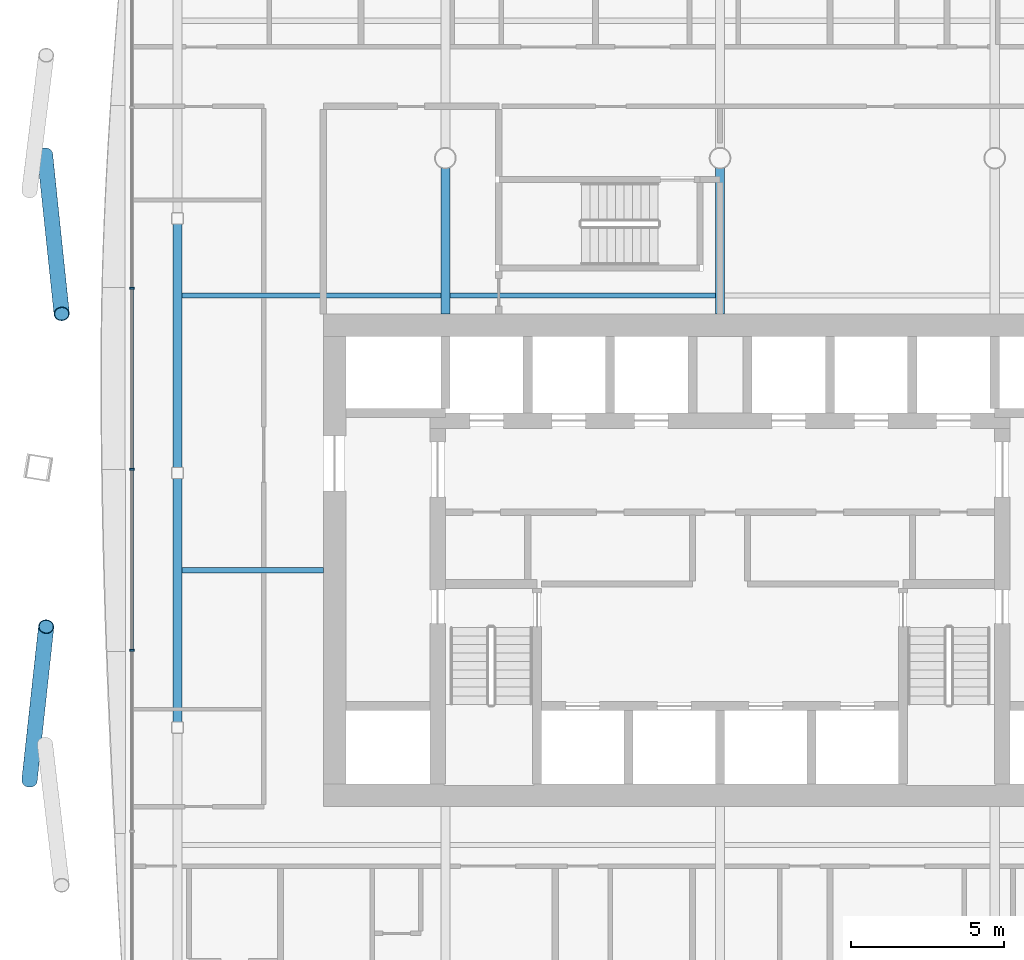
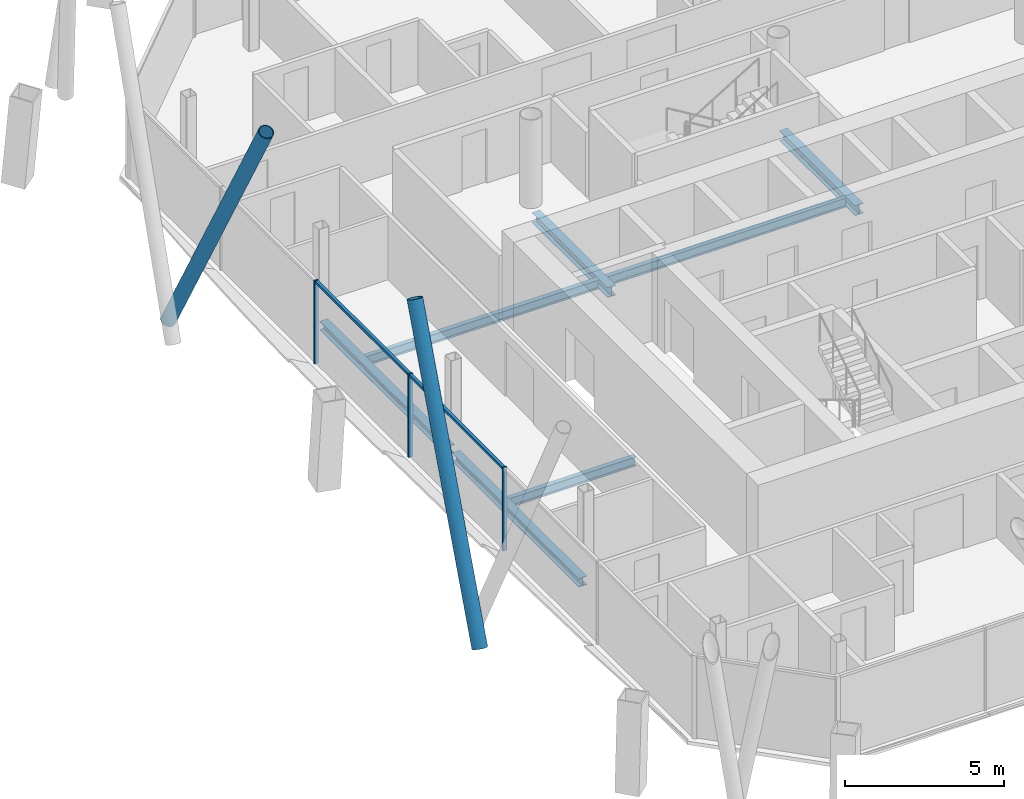
# One storey, part 5 of 23: 7 beams, 7 members, 1 element without a shape of its own.
"""IFC4 building model written with IfcOpenShell, lengths in metres."""

import ifcopenshell
import ifcopenshell.guid

model = None  # the IFC model being written
_history = None  # IfcOwnerHistory: only IFC2X3 demands one
_inside = {}  # id of a spatial element -> (the spatial element, [elements in it])
_under = {}  # id of a project, library or spatial element -> (it, [spatial elements below it])
_declared = {}  # id of a project -> (the project, [libraries it declares])
_typed = {}  # id of a type object -> (the type object, [elements of that type])
_made_of = {}  # id of a material, layer set ... -> (it, [elements and type objects made of it])


def new_model(schema):
    """Start an empty IFC model of exactly this schema.

    Asked for "IFC4X3", IfcOpenShell would pick the latest addendum, in which some entities
    have other attributes; the version numbers below select the first issue.
    IFC2X3 requires an IfcOwnerHistory on every rooted entity: one is made here for all.
    """
    global model, _history
    if schema == "IFC4X3":
        model = ifcopenshell.file(schema_version=(4, 3, 0, 0))
    else:
        model = ifcopenshell.file(schema=schema)
    _inside.clear()
    _under.clear()
    _declared.clear()
    _typed.clear()
    _made_of.clear()
    _history = None
    if model.schema == "IFC2X3":
        org = make("IfcOrganization", Name="unknown")
        user = make(
            "IfcPersonAndOrganization",
            ThePerson=make("IfcPerson", FamilyName="unknown"),
            TheOrganization=org,
        )
        app = make(
            "IfcApplication",
            ApplicationDeveloper=org,
            Version="unknown",
            ApplicationFullName="unknown",
            ApplicationIdentifier="unknown",
        )
        _history = make(
            "IfcOwnerHistory",
            OwningUser=user,
            OwningApplication=app,
            ChangeAction="ADDED",
            CreationDate=0,
        )
    return model


def make(cls, **values):
    """One entity of the class cls with the attributes given. An attribute that is None is left unset."""
    return model.create_entity(
        cls, **{name: value for name, value in values.items() if value is not None}
    )


def rooted(cls, **values):
    """An entity with a GlobalId (a new one), such as an element, a storey or a relation."""
    return make(cls, GlobalId=ifcopenshell.guid.new(), OwnerHistory=_history, **values)


def si_unit(unit_type, name, prefix=None):
    """IfcSIUnit, for example si_unit("LENGTHUNIT", "METRE", prefix="MILLI")."""
    return make("IfcSIUnit", UnitType=unit_type, Prefix=prefix, Name=name)


def assignment(units):
    """IfcUnitAssignment: the units of a project."""
    return None if units is None else make("IfcUnitAssignment", Units=units)


def point(xyz):
    """IfcCartesianPoint."""
    return None if xyz is None else make("IfcCartesianPoint", Coordinates=xyz)


def direction(xyz):
    """IfcDirection."""
    return None if xyz is None else make("IfcDirection", DirectionRatios=xyz)


def frame(location, z_axis=None, x_axis=None):
    """IfcAxis2Placement3D, a coordinate frame: its origin and axes. An axis left out is left unset."""
    return make(
        "IfcAxis2Placement3D",
        Location=point(location),
        Axis=direction(z_axis),
        RefDirection=direction(x_axis),
    )


def frame_2d(location, x_axis=None):
    """IfcAxis2Placement2D, a coordinate frame in the plane: its origin and x axis."""
    return make(
        "IfcAxis2Placement2D", Location=point(location), RefDirection=direction(x_axis)
    )


def origin():
    """The frame at (0, 0, 0) with its axes left unset."""
    return frame((0.0, 0.0, 0.0))


def origin_2d():
    """The frame at (0, 0) in the plane with its x axis left unset."""
    return frame_2d((0.0, 0.0))


def place(relative_to, where):
    """IfcLocalPlacement: puts the frame where relative to a parent placement (None: the world)."""
    return make(
        "IfcLocalPlacement", PlacementRelTo=relative_to, RelativePlacement=where
    )


def context(
    kind, dimensions, precision=None, world=None, true_north=None, identifier=None
):
    """IfcGeometricRepresentationContext, for example the 3D "Model" context."""
    return make(
        "IfcGeometricRepresentationContext",
        ContextIdentifier=identifier,
        ContextType=kind,
        CoordinateSpaceDimension=dimensions,
        Precision=precision,
        WorldCoordinateSystem=world,
        TrueNorth=true_north,
    )


def subcontext(parent, identifier, kind, view, scale=None):
    """IfcGeometricRepresentationSubContext, for example "Body" below "Model"."""
    return make(
        "IfcGeometricRepresentationSubContext",
        ContextIdentifier=identifier,
        ContextType=kind,
        ParentContext=parent,
        TargetScale=scale,
        TargetView=view,
    )


def project(units=None, contexts=None):
    """IfcProject with its units and contexts."""
    return rooted(
        "IfcProject",
        Name="project",
        RepresentationContexts=contexts,
        UnitsInContext=assignment(units),
    )


def spatial(cls, under=None, at=None, **own):
    """A site, building, storey or space (cls), placed at a placement, below another one or the project."""
    s = rooted(cls, ObjectPlacement=at, **own)
    if under is not None:
        _under.setdefault(under.id(), (under, []))[1].append(s)
    return s


def profile(cls, at=None, kind="AREA", **sizes):
    """A parametric profile (cls). Its sizes go by their IFC names, for example OverallWidth=200.0."""
    return make(cls, ProfileType=kind, Position=at, **sizes)


def rectangle(**sizes):
    """IfcRectangleProfileDef."""
    return profile("IfcRectangleProfileDef", **sizes)


def hollow_circle(**sizes):
    """IfcCircleHollowProfileDef."""
    return profile("IfcCircleHollowProfileDef", **sizes)


def i_section(**sizes):
    """IfcIShapeProfileDef."""
    return profile("IfcIShapeProfileDef", **sizes)


def extrude(swept, where, along, depth):
    """IfcExtrudedAreaSolid: the profile swept, set in the frame where, extruded along a direction by depth."""
    return make(
        "IfcExtrudedAreaSolid",
        SweptArea=swept,
        Position=where,
        ExtrudedDirection=direction(along),
        Depth=depth,
    )


def shape(context_of_items, identifier, shape_type, items):
    """IfcShapeRepresentation: the items that make up one representation, for example the "Body"."""
    return make(
        "IfcShapeRepresentation",
        ContextOfItems=context_of_items,
        RepresentationIdentifier=identifier,
        RepresentationType=shape_type,
        Items=items,
    )


def material(Name=None, Category=None):
    """IfcMaterial."""
    return make("IfcMaterial", Name=Name, Category=Category)


def material_profile(
    of_material, cross_section, Name=None, Category=None, Priority=None
):
    """IfcMaterialProfile: a cross section and its material."""
    return make(
        "IfcMaterialProfile",
        Name=Name,
        Material=of_material,
        Profile=cross_section,
        Priority=Priority,
        Category=Category,
    )


def profile_set(profiles, Name=None, composite=None):
    """IfcMaterialProfileSet."""
    return make(
        "IfcMaterialProfileSet",
        Name=Name,
        MaterialProfiles=profiles,
        CompositeProfile=composite,
    )


def made_of(thing, what):
    """Note that an element or type object is made of a material, layer set ...; save() writes the relation."""
    if what is not None:
        _made_of.setdefault(what.id(), (what, []))[1].append(thing)
    return thing


def type_object(cls, material=None, **own):
    """A type object (cls), such as IfcWallType, which elements share."""
    return made_of(rooted(cls, **own), material)


def element(
    cls,
    number,
    at=None,
    inside=None,
    cuts=None,
    type_object=None,
    material=None,
    context=None,
    identifier="Body",
    shape_type=None,
    held_by="IfcProductDefinitionShape",
    body=None,
    shapes=None,
    **own,
):
    """One element of the class cls, such as IfcWall. Its Tag is "e" and its number.

    at: its placement. inside: the storey or other place that contains it. cuts: it is an
    opening in that element (IfcRelVoidsElement). A single representation is given by context,
    identifier, shape_type and body (its items); several are given by shapes. held_by: the class
    of the entity that holds the representations. save() writes the other relations.
    """
    e = rooted(cls, Tag="e%d" % number, ObjectPlacement=at, **own)
    if body is not None:
        shapes = [shape(context, identifier, shape_type, body)]
    if shapes is not None:
        e.Representation = make(held_by, Representations=shapes)
    if inside is not None:
        _inside.setdefault(inside.id(), (inside, []))[1].append(e)
    if cuts is not None:
        rooted(
            "IfcRelVoidsElement", RelatingBuildingElement=cuts, RelatedOpeningElement=e
        )
    if type_object is not None:
        _typed.setdefault(type_object.id(), (type_object, []))[1].append(e)
    return made_of(e, material)


def aggregate(whole, parts):
    """IfcRelAggregates: a whole, such as a stair, and the parts it consists of."""
    return rooted("IfcRelAggregates", RelatingObject=whole, RelatedObjects=parts)


def save(model, path):
    """Write the relations noted so far, then the file.

    IfcRelAggregates (storeys below a building ...), IfcRelContainedInSpatialStructure (elements
    in a storey), IfcRelDefinesByType, IfcRelAssociatesMaterial and IfcRelDeclares: one each for
    every whole, place, type object, material and project.
    """
    for whole, parts in _under.values():
        aggregate(whole, parts)
    for where, things in _inside.values():
        rooted(
            "IfcRelContainedInSpatialStructure",
            RelatedElements=things,
            RelatingStructure=where,
        )
    for kind, things in _typed.values():
        rooted("IfcRelDefinesByType", RelatedObjects=things, RelatingType=kind)
    for what, things in _made_of.values():
        rooted("IfcRelAssociatesMaterial", RelatedObjects=things, RelatingMaterial=what)
    for by, libraries in _declared.values():
        rooted("IfcRelDeclares", RelatingContext=by, RelatedDefinitions=libraries)
    model.write(path)


model = new_model("IFC4")

# Units and contexts
model_context = context("Model", 3, precision=1e-05, world=origin(), true_north=direction((0.0, 1.0)))
body_context = subcontext(model_context, "Body", "Model", "MODEL_VIEW")
ifc_project = project(units=[si_unit("LENGTHUNIT", "METRE"), si_unit("AREAUNIT", "SQUARE_METRE"), si_unit("VOLUMEUNIT", "CUBIC_METRE"), si_unit("PLANEANGLEUNIT", "RADIAN"), si_unit("MASSUNIT", "GRAM", prefix="KILO")], contexts=[model_context])

# Site, building, storey
site_placement = place(None, origin())
site = spatial("IfcSite", under=ifc_project, at=site_placement, CompositionType="ELEMENT")
building_placement = place(site_placement, origin())
building = spatial("IfcBuilding", under=site, at=building_placement, Name="Tskaro Facet Tower", CompositionType="ELEMENT")
storey_placement = place(building_placement, frame((0.0, 0.0, 141.89990234375)))
storey = spatial("IfcBuildingStorey", under=building, at=storey_placement, Name="L34", CompositionType="ELEMENT", Elevation=141.89990234375)

# Members
ifc_material_1 = material(Name="Steel S355J2H", Category="steel")
ifc_material_profile_1 = material_profile(ifc_material_1, hollow_circle(Radius=0.25390625, WallThickness=0.02490234375, at=origin_2d()), Name="CHS 508x25")
ifc_profile_set_1 = profile_set([ifc_material_profile_1], Name="Steel S355J2H")
member_type_1 = type_object("IfcMemberType", Name="CHS 508x25 brace", PredefinedType="BRACE", material=ifc_profile_set_1)
member_1_placement = place(storey_placement, frame((-22.117431640625, 9.111083984375, 0.0), z_axis=(0.047748966479, -0.454605073183, 0.88941231363), x_axis=(0.994529159567, 0.104459325915, 0.0)))
element("IfcMember", 1, at=member_1_placement, inside=storey, type_object=member_type_1, Name="CHS 508x25 XB10A/3", PredefinedType="BRACE", context=body_context, shape_type="SweptSolid", body=[
    extrude(hollow_circle(Radius=0.25390625, WallThickness=0.02490234375, at=origin_2d()), origin(), (0.0, 0.0, 1.0), 11.468505859375),
])
member_2_placement = place(storey_placement, frame((-22.62548828125, -11.383544921875, 0.0), z_axis=(0.048108604774, 0.442024604825, 0.895711901716), x_axis=(-0.994129364585, 0.108197996611, 0.0)))
element("IfcMember", 2, at=member_2_placement, inside=storey, type_object=member_type_1, Name="CHS 508x25 XB11B/3", PredefinedType="BRACE", context=body_context, shape_type="SweptSolid", body=[
    extrude(hollow_circle(Radius=0.25390625, WallThickness=0.02490234375, at=origin_2d()), origin(), (0.0, 0.0, 1.0), 11.3876953125),
])

# Curtain wall, members
ifc_material_2 = material(Name="Bronze anodised aluminium 6063-T6", Category="aluminium")
curtain_wall_type = type_object("IfcCurtainWallType", Name="Bronze hotel curtain wall (FW2)", PredefinedType="NOTDEFINED", material=ifc_material_2)
curtain_wall_placement = place(storey_placement, origin())
curtain_wall = element("IfcCurtainWall", 3, at=curtain_wall_placement, inside=storey, type_object=curtain_wall_type, Name="FW2 west facet L34", PredefinedType="NOTDEFINED")
ifc_material_profile_2 = material_profile(ifc_material_2, rectangle(XDim=0.06005859375, YDim=0.14990234375, at=origin_2d()), Name="Mullion 60x150")
ifc_profile_set_2 = profile_set([ifc_material_profile_2], Name="Bronze anodised aluminium 6063-T6")
member_type_2 = type_object("IfcMemberType", Name="FW2 bronze mullion 60x150", PredefinedType="MULLION", material=ifc_profile_set_2)
member_3_placement = place(storey_placement, frame((-19.27197265625, 4.733642578125, 0.0), z_axis=(0.0, 0.0, 1.0), x_axis=(0.0, -1.0, 0.0)))
member_3 = element("IfcMember", 4, at=member_3_placement, type_object=member_type_2, Name="FW2 west mullion 2", PredefinedType="MULLION", context=body_context, shape_type="SweptSolid", body=[
    extrude(rectangle(XDim=0.06005859375, YDim=0.14990234375, at=origin_2d()), origin(), (0.0, 0.0, 1.0), 3.2001953125),
])
member_4_placement = place(storey_placement, frame((-19.27197265625, -1.195556640625, 0.0), z_axis=(0.0, 0.0, 1.0), x_axis=(0.0, -1.0, 0.0)))
member_4 = element("IfcMember", 5, at=member_4_placement, type_object=member_type_2, Name="FW2 west mullion 3", PredefinedType="MULLION", context=body_context, shape_type="SweptSolid", body=[
    extrude(rectangle(XDim=0.06005859375, YDim=0.14990234375, at=origin_2d()), origin(), (0.0, 0.0, 1.0), 3.2001953125),
])
member_5_placement = place(storey_placement, frame((-19.27197265625, -7.124755859375, 0.0), z_axis=(0.0, 0.0, 1.0), x_axis=(0.0, -1.0, 0.0)))
member_5 = element("IfcMember", 6, at=member_5_placement, type_object=member_type_2, Name="FW2 west mullion 4", PredefinedType="MULLION", context=body_context, shape_type="SweptSolid", body=[
    extrude(rectangle(XDim=0.06005859375, YDim=0.14990234375, at=origin_2d()), origin(), (0.0, 0.0, 1.0), 3.2001953125),
])
ifc_material_profile_3 = material_profile(ifc_material_2, rectangle(XDim=0.110107421875, YDim=0.10009765625, at=origin_2d()), Name="Transom 110x100")
ifc_profile_set_3 = profile_set([ifc_material_profile_3], Name="Bronze anodised aluminium 6063-T6")
member_type_3 = type_object("IfcMemberType", Name="FW2 bronze transom 110x100", PredefinedType="USERDEFINED", material=ifc_profile_set_3)
member_6_placement = place(storey_placement, frame((-19.27197265625, 4.70361328125, 3.150146484375), z_axis=(0.0, -1.0, 0.0), x_axis=(1.0, 0.0, 0.0)))
member_6 = element("IfcMember", 7, at=member_6_placement, type_object=member_type_3, Name="FW2 west transom 3.1", ObjectType="TRANSOM", PredefinedType="USERDEFINED", context=body_context, shape_type="SweptSolid", body=[
    extrude(rectangle(XDim=0.110107421875, YDim=0.10009765625, at=origin_2d()), origin(), (0.0, 0.0, 1.0), 5.869140625),
])
member_7_placement = place(storey_placement, frame((-19.27197265625, -1.2255859375, 3.150146484375), z_axis=(0.0, -1.0, 0.0), x_axis=(1.0, 0.0, 0.0)))
member_7 = element("IfcMember", 8, at=member_7_placement, type_object=member_type_3, Name="FW2 west transom 4.1", ObjectType="TRANSOM", PredefinedType="USERDEFINED", context=body_context, shape_type="SweptSolid", body=[
    extrude(rectangle(XDim=0.110107421875, YDim=0.10009765625, at=origin_2d()), origin(), (0.0, 0.0, 1.0), 5.869140625),
])
aggregate(curtain_wall, [member_3, member_4, member_5, member_6, member_7])

# Beams
ifc_material_3 = material(Name="Steel S355J2", Category="steel")
ifc_material_profile_4 = material_profile(ifc_material_3, i_section(OverallWidth=0.300048828125, OverallDepth=0.340087890625, WebThickness=0.011962890625, FlangeThickness=0.021484375, FilletRadius=0.027099609375, at=origin_2d()), Name="HE 340 B")
ifc_profile_set_4 = profile_set([ifc_material_profile_4], Name="Steel S355J2")
beam_type_1 = type_object("IfcBeamType", Name="HE 340 B ring beam", PredefinedType="BEAM", material=ifc_profile_set_4)
beam_1_placement = place(storey_placement, frame((-17.77392578125, 6.845947265625, -0.309814453125), z_axis=(0.0, -1.0, 0.0), x_axis=(1.0, 0.0, 0.0)))
element("IfcBeam", 9, at=beam_1_placement, inside=storey, type_object=beam_type_1, Name="HE 340 B EB17-3", PredefinedType="BEAM", context=body_context, shape_type="SweptSolid", body=[
    extrude(i_section(OverallWidth=0.300048828125, OverallDepth=0.340087890625, WebThickness=0.011962890625, FlangeThickness=0.021484375, FilletRadius=0.027099609375, at=origin_2d()), origin(), (0.0, 0.0, 1.0), 7.98095703125),
])
beam_2_placement = place(storey_placement, frame((-17.77392578125, -1.4951171875, -0.309814453125), z_axis=(0.0, -1.0, 0.0), x_axis=(1.0, 0.0, 0.0)))
element("IfcBeam", 10, at=beam_2_placement, inside=storey, type_object=beam_type_1, Name="HE 340 B EB18-3", PredefinedType="BEAM", context=body_context, shape_type="SweptSolid", body=[
    extrude(i_section(OverallWidth=0.300048828125, OverallDepth=0.340087890625, WebThickness=0.011962890625, FlangeThickness=0.021484375, FilletRadius=0.027099609375, at=origin_2d()), origin(), (0.0, 0.0, 1.0), 7.98193359375),
])
ifc_material_profile_5 = material_profile(ifc_material_3, i_section(OverallWidth=0.300048828125, OverallDepth=0.389892578125, WebThickness=0.010986328125, FlangeThickness=0.01904296875, FilletRadius=0.027099609375, at=origin_2d()), Name="HE 400 A")
ifc_profile_set_5 = profile_set([ifc_material_profile_5], Name="Steel S355J2")
beam_type_2 = type_object("IfcBeamType", Name="HE 400 A girder", PredefinedType="BEAM", material=ifc_profile_set_5)
for number, where, z_axis, x_axis, name in (
    (11, (-9.0, 3.89990234375, -0.3349609375), (0.0, 1.0, 0.0), (-1.0, 0.0, 0.0), "HE 400 A GB3-2-3"),
    (12, (0.0, 3.89990234375, -0.3349609375), (0.0, 1.0, 0.0), (-1.0, 0.0, 0.0), "HE 400 A GB4-2-3"),
):
    element("IfcBeam", number, at=place(storey_placement, frame(where, z_axis=z_axis, x_axis=x_axis)), inside=storey, type_object=beam_type_2, Name=name, PredefinedType="BEAM", context=body_context, shape_type="SweptSolid", body=[
        extrude(i_section(OverallWidth=0.300048828125, OverallDepth=0.389892578125, WebThickness=0.010986328125, FlangeThickness=0.01904296875, FilletRadius=0.027099609375, at=origin_2d()), origin(), (0.0, 0.0, 1.0), 4.774658203125),
    ])
ifc_material_profile_6 = material_profile(ifc_material_3, i_section(OverallWidth=0.169921875, OverallDepth=0.360107421875, WebThickness=0.008056640625, FlangeThickness=0.0126953125, FilletRadius=0.01806640625, at=origin_2d()), Name="IPE 360")
ifc_profile_set_6 = profile_set([ifc_material_profile_6], Name="Steel S355J2")
beam_type_3 = type_object("IfcBeamType", Name="IPE 360 secondary beam", PredefinedType="BEAM", material=ifc_profile_set_6)
beam_3_placement = place(storey_placement, frame((-17.6240234375, -4.5, -0.31982421875), z_axis=(1.0, 0.0, 0.0), x_axis=(0.0, 1.0, 0.0)))
element("IfcBeam", 13, at=beam_3_placement, inside=storey, type_object=beam_type_3, Name="IPE 360 SB3a-1-3", PredefinedType="BEAM", context=body_context, shape_type="SweptSolid", body=[
    extrude(i_section(OverallWidth=0.169921875, OverallDepth=0.360107421875, WebThickness=0.008056640625, FlangeThickness=0.0126953125, FilletRadius=0.01806640625, at=origin_2d()), origin(), (0.0, 0.0, 1.0), 4.6240234375),
])
beam_4_placement = place(storey_placement, frame((-17.6240234375, 4.5, -0.31982421875), z_axis=(1.0, 0.0, 0.0), x_axis=(0.0, 1.0, 0.0)))
element("IfcBeam", 14, at=beam_4_placement, inside=storey, type_object=beam_type_3, Name="IPE 360 SB4a-1-3", PredefinedType="BEAM", context=body_context, shape_type="SweptSolid", body=[
    extrude(i_section(OverallWidth=0.169921875, OverallDepth=0.360107421875, WebThickness=0.008056640625, FlangeThickness=0.0126953125, FilletRadius=0.01806640625, at=origin_2d()), origin(), (0.0, 0.0, 1.0), 8.47412109375),
])
beam_5_placement = place(storey_placement, frame((-8.85009765625, 4.5, -0.31982421875), z_axis=(1.0, 0.0, 0.0), x_axis=(0.0, 1.0, 0.0)))
element("IfcBeam", 15, at=beam_5_placement, inside=storey, type_object=beam_type_3, Name="IPE 360 SB4a-2-3", PredefinedType="BEAM", context=body_context, shape_type="SweptSolid", body=[
    extrude(i_section(OverallWidth=0.169921875, OverallDepth=0.360107421875, WebThickness=0.008056640625, FlangeThickness=0.0126953125, FilletRadius=0.01806640625, at=origin_2d()), origin(), (0.0, 0.0, 1.0), 8.7001953125),
])

save(model, "model.ifc")
